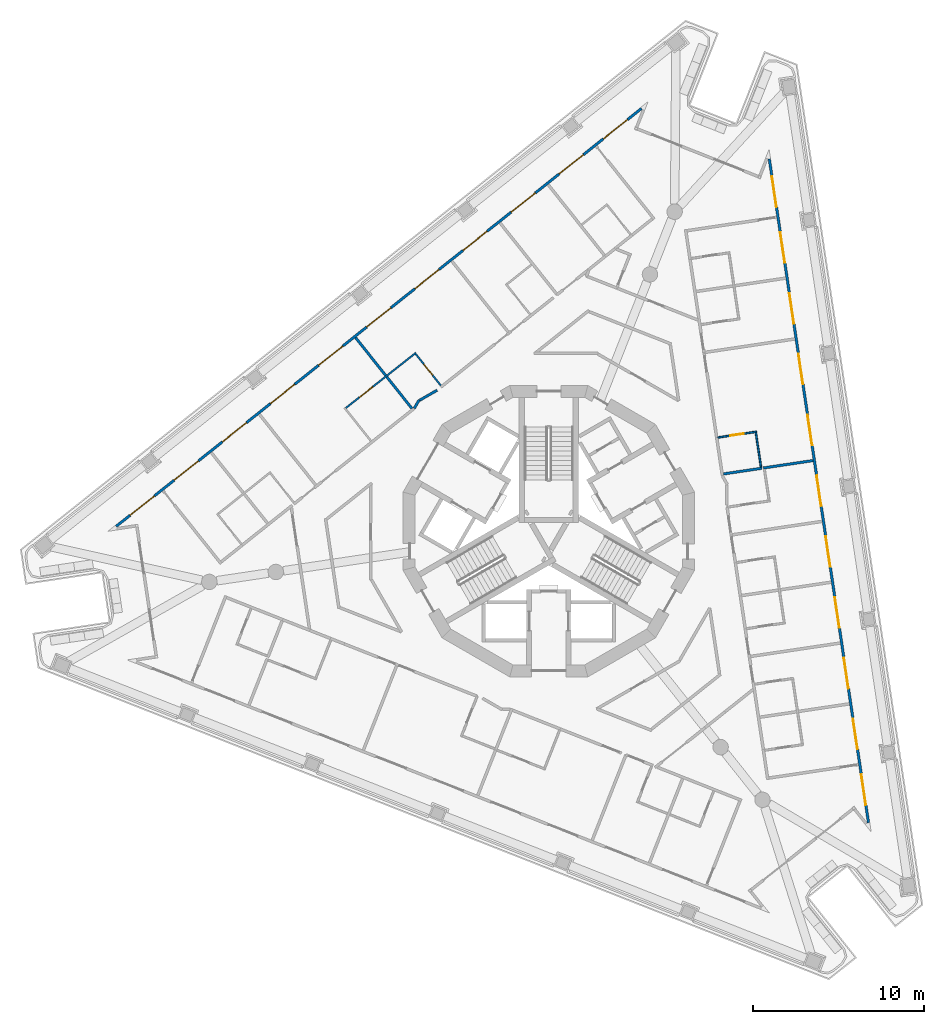
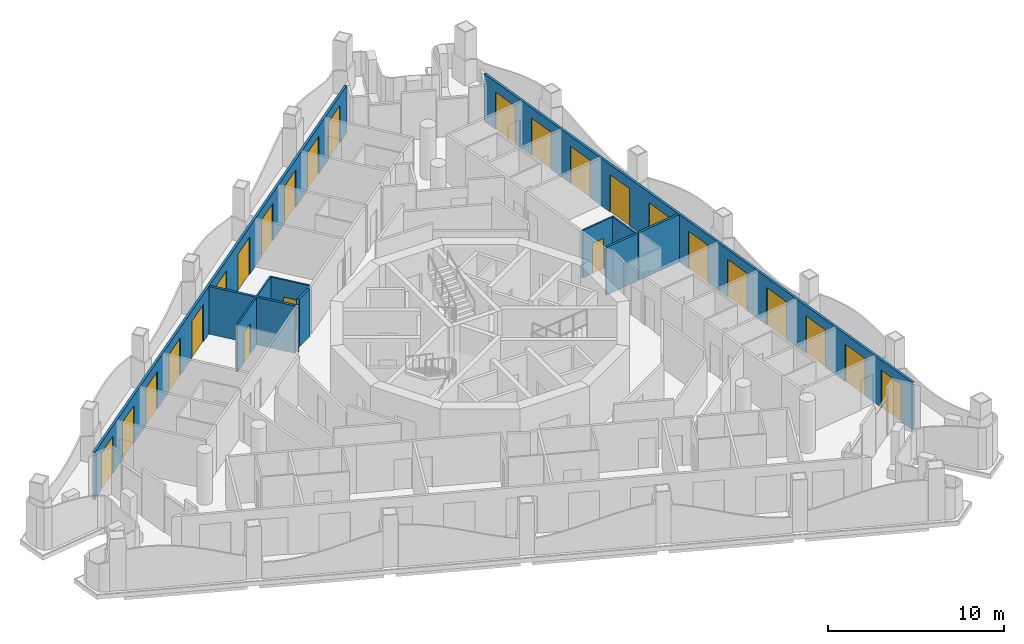
# One storey, part 7 of 16: 25 doors, 11 walls, 25 openings.
"""IFC4 building model written with IfcOpenShell, lengths in metres."""

from ifc_helpers import new_model, si_unit, direction, frame, frame_2d, origin, place, context, subcontext, project, spatial, polyline, rectangle, outline, extrude, material, layer, layer_set, type_object, element, fill, save


model = new_model("IFC4")

# Units and contexts
model_context = context("Model", 3, precision=1e-05, world=origin(), true_north=direction((0.0, 1.0)))
body_context = subcontext(model_context, "Body", "Model", "MODEL_VIEW")
ifc_project = project(units=[si_unit("LENGTHUNIT", "METRE"), si_unit("AREAUNIT", "SQUARE_METRE"), si_unit("VOLUMEUNIT", "CUBIC_METRE"), si_unit("PLANEANGLEUNIT", "RADIAN"), si_unit("MASSUNIT", "GRAM", prefix="KILO")], contexts=[model_context])

# Site, building, storey
site_placement = place(None, origin())
site = spatial("IfcSite", under=ifc_project, at=site_placement, CompositionType="ELEMENT")
building_placement = place(site_placement, origin())
building = spatial("IfcBuilding", under=site, at=building_placement, Name="Trine Commons Tower", CompositionType="ELEMENT")
storey_placement = place(building_placement, frame((0.0, 0.0, 219.60009765625)))
storey = spatial("IfcBuildingStorey", under=building, at=storey_placement, Name="L57", CompositionType="ELEMENT", Elevation=219.60009765625)

# Wall, openings, doors
ifc_material_1 = material(Name="Aluminium-framed insulated wall panel", Category="aluminium")
ifc_layer_1 = layer(ifc_material_1, 0.14990234375)
ifc_layer_set_1 = layer_set([ifc_layer_1], Name="Aluminium-framed insulated wall panel")
wall_type_1 = type_object("IfcWallType", Name="Glazed frame wall 150, EI 60", PredefinedType="SOLIDWALL", material=ifc_layer_set_1)
wall_1_placement = place(storey_placement, frame((54.650634765625, 62.685546875, 0.0), z_axis=(0.0, 0.0, 1.0), x_axis=(0.782609620341, 0.622512796776, 0.0)))
wall_1 = element("IfcWall", 1, at=wall_1_placement, inside=storey, type_object=wall_type_1, Name="Glazed frame wall F1", PredefinedType="SOLIDWALL", context=body_context, shape_type="SweptSolid", body=[
    extrude(outline(polyline([(0.1494140625, 0.074951171875), (0.1494140625, -0.074951171875), (39.296875, -0.074951171875), (39.296875, 0.074951171875), (0.1494140625, 0.074951171875)])), origin(), (0.0, 0.0, 1.0), 3.2998046875),
])
opening_1_placement = place(wall_1_placement, frame((1.193115234375, 0.0, 0.0)))
opening_1 = element("IfcOpeningElement", 2, at=opening_1_placement, cuts=wall_1, Name="Opening BD-6F1-01", PredefinedType="OPENING", context=body_context, shape_type="SweptSolid", body=[
    extrude(rectangle(XDim=1.800048828125, YDim=2.60009765625, at=frame_2d((0.89990234375, 1.300048828125))), frame((0.0, 0.0849609375, 0.0), z_axis=(0.0, -1.0, 0.0), x_axis=(1.0, 0.0, 0.0)), (0.0, 0.0, 1.0), 0.169921875),
])
opening_2_placement = place(wall_1_placement, frame((4.47900390625, 0.0, 0.0)))
opening_2 = element("IfcOpeningElement", 3, at=opening_2_placement, cuts=wall_1, Name="Opening BD-6F1-02", PredefinedType="OPENING", context=body_context, shape_type="SweptSolid", body=[
    extrude(rectangle(XDim=1.800048828125, YDim=2.60009765625, at=frame_2d((0.89990234375, 1.300048828125))), frame((0.0, 0.0849609375, 0.0), z_axis=(0.0, -1.0, 0.0), x_axis=(1.0, 0.0, 0.0)), (0.0, 0.0, 1.0), 0.169921875),
])
opening_3_placement = place(wall_1_placement, frame((8.06494140625, 0.0, 0.0)))
opening_3 = element("IfcOpeningElement", 4, at=opening_3_placement, cuts=wall_1, Name="Opening BD-6F1-03", PredefinedType="OPENING", context=body_context, shape_type="SweptSolid", body=[
    extrude(rectangle(XDim=1.800048828125, YDim=2.60009765625, at=frame_2d((0.89990234375, 1.300048828125))), frame((0.0, 0.0849609375, 0.0), z_axis=(0.0, -1.0, 0.0), x_axis=(1.0, 0.0, 0.0)), (0.0, 0.0, 1.0), 0.169921875),
])
opening_4_placement = place(wall_1_placement, frame((11.65087890625, 0.0, 0.0)))
opening_4 = element("IfcOpeningElement", 5, at=opening_4_placement, cuts=wall_1, Name="Opening BD-6F1-04", PredefinedType="OPENING", context=body_context, shape_type="SweptSolid", body=[
    extrude(rectangle(XDim=1.800048828125, YDim=2.60009765625, at=frame_2d((0.89990234375, 1.300048828125))), frame((0.0, 0.0849609375, 0.0), z_axis=(0.0, -1.0, 0.0), x_axis=(1.0, 0.0, 0.0)), (0.0, 0.0, 1.0), 0.169921875),
])
opening_5_placement = place(wall_1_placement, frame((15.237060546875, 0.0, 0.0)))
opening_5 = element("IfcOpeningElement", 6, at=opening_5_placement, cuts=wall_1, Name="Opening BD-6F1-05", PredefinedType="OPENING", context=body_context, shape_type="SweptSolid", body=[
    extrude(rectangle(XDim=1.800048828125, YDim=2.60009765625, at=frame_2d((0.89990234375, 1.300048828125))), frame((0.0, 0.0849609375, 0.0), z_axis=(0.0, -1.0, 0.0), x_axis=(1.0, 0.0, 0.0)), (0.0, 0.0, 1.0), 0.169921875),
])
opening_6_placement = place(wall_1_placement, frame((18.822998046875, 0.0, 0.0)))
opening_6 = element("IfcOpeningElement", 7, at=opening_6_placement, cuts=wall_1, Name="Opening BD-6F1-06", PredefinedType="OPENING", context=body_context, shape_type="SweptSolid", body=[
    extrude(rectangle(XDim=1.800048828125, YDim=2.60009765625, at=frame_2d((0.89990234375, 1.300048828125))), frame((0.0, 0.0849609375, 0.0), z_axis=(0.0, -1.0, 0.0), x_axis=(1.0, 0.0, 0.0)), (0.0, 0.0, 1.0), 0.169921875),
])
opening_7_placement = place(wall_1_placement, frame((22.408935546875, 0.0, 0.0)))
opening_7 = element("IfcOpeningElement", 8, at=opening_7_placement, cuts=wall_1, Name="Opening BD-6F1-07", PredefinedType="OPENING", context=body_context, shape_type="SweptSolid", body=[
    extrude(rectangle(XDim=1.800048828125, YDim=2.60009765625, at=frame_2d((0.89990234375, 1.300048828125))), frame((0.0, 0.0849609375, 0.0), z_axis=(0.0, -1.0, 0.0), x_axis=(1.0, 0.0, 0.0)), (0.0, 0.0, 1.0), 0.169921875),
])
opening_8_placement = place(wall_1_placement, frame((25.9951171875, 0.0, 0.0)))
opening_8 = element("IfcOpeningElement", 9, at=opening_8_placement, cuts=wall_1, Name="Opening BD-6F1-08", PredefinedType="OPENING", context=body_context, shape_type="SweptSolid", body=[
    extrude(rectangle(XDim=1.800048828125, YDim=2.60009765625, at=frame_2d((0.89990234375, 1.300048828125))), frame((0.0, 0.0849609375, 0.0), z_axis=(0.0, -1.0, 0.0), x_axis=(1.0, 0.0, 0.0)), (0.0, 0.0, 1.0), 0.169921875),
])
opening_9_placement = place(wall_1_placement, frame((29.5810546875, 0.0, 0.0)))
opening_9 = element("IfcOpeningElement", 10, at=opening_9_placement, cuts=wall_1, Name="Opening BD-6F1-09", PredefinedType="OPENING", context=body_context, shape_type="SweptSolid", body=[
    extrude(rectangle(XDim=1.800048828125, YDim=2.60009765625, at=frame_2d((0.89990234375, 1.300048828125))), frame((0.0, 0.0849609375, 0.0), z_axis=(0.0, -1.0, 0.0), x_axis=(1.0, 0.0, 0.0)), (0.0, 0.0, 1.0), 0.169921875),
])
opening_10_placement = place(wall_1_placement, frame((33.1669921875, 0.0, 0.0)))
opening_10 = element("IfcOpeningElement", 11, at=opening_10_placement, cuts=wall_1, Name="Opening BD-6F1-10", PredefinedType="OPENING", context=body_context, shape_type="SweptSolid", body=[
    extrude(rectangle(XDim=1.800048828125, YDim=2.60009765625, at=frame_2d((0.89990234375, 1.300048828125))), frame((0.0, 0.0849609375, 0.0), z_axis=(0.0, -1.0, 0.0), x_axis=(1.0, 0.0, 0.0)), (0.0, 0.0, 1.0), 0.169921875),
])
opening_11_placement = place(wall_1_placement, frame((36.452880859375, 0.0, 0.0)))
opening_11 = element("IfcOpeningElement", 12, at=opening_11_placement, cuts=wall_1, Name="Opening BD-6F1-11", PredefinedType="OPENING", context=body_context, shape_type="SweptSolid", body=[
    extrude(rectangle(XDim=1.800048828125, YDim=2.60009765625, at=frame_2d((0.89990234375, 1.300048828125))), frame((0.0, 0.0849609375, 0.0), z_axis=(0.0, -1.0, 0.0), x_axis=(1.0, 0.0, 0.0)), (0.0, 0.0, 1.0), 0.169921875),
])
ifc_material_2 = material(Name="Anodised aluminium frame with double glazing", Category="aluminium")
door_type_1 = type_object("IfcDoorType", Name="Sliding loggia door 1800x2600", OperationType="SLIDING_TO_LEFT", PredefinedType="DOOR", material=ifc_material_2)
door_1_placement = place(opening_1_placement, origin())
door_1 = element("IfcDoor", 13, at=door_1_placement, inside=storey, type_object=door_type_1, Name="Loggia door F1 1", OperationType="SLIDING_TO_LEFT", OverallHeight=2.60009765625, OverallWidth=1.800048828125, PredefinedType="DOOR", context=body_context, shape_type="SweptSolid", body=[
    extrude(rectangle(XDim=1.800048828125, YDim=2.60009765625, at=frame_2d((0.89990234375, 1.300048828125))), frame((0.0, 0.02490234375, 0.0), z_axis=(0.0, -1.0, 0.0), x_axis=(1.0, 0.0, 0.0)), (0.0, 0.0, 1.0), 0.050048828125),
])
fill(opening_1, door_1)
door_2_placement = place(opening_2_placement, origin())
door_2 = element("IfcDoor", 14, at=door_2_placement, inside=storey, type_object=door_type_1, Name="Loggia door F1 2", OperationType="SLIDING_TO_LEFT", OverallHeight=2.60009765625, OverallWidth=1.800048828125, PredefinedType="DOOR", context=body_context, shape_type="SweptSolid", body=[
    extrude(rectangle(XDim=1.800048828125, YDim=2.60009765625, at=frame_2d((0.89990234375, 1.300048828125))), frame((0.0, 0.02490234375, 0.0), z_axis=(0.0, -1.0, 0.0), x_axis=(1.0, 0.0, 0.0)), (0.0, 0.0, 1.0), 0.050048828125),
])
fill(opening_2, door_2)
door_3_placement = place(opening_3_placement, origin())
door_3 = element("IfcDoor", 15, at=door_3_placement, inside=storey, type_object=door_type_1, Name="Loggia door F1 3", OperationType="SLIDING_TO_LEFT", OverallHeight=2.60009765625, OverallWidth=1.800048828125, PredefinedType="DOOR", context=body_context, shape_type="SweptSolid", body=[
    extrude(rectangle(XDim=1.800048828125, YDim=2.60009765625, at=frame_2d((0.89990234375, 1.300048828125))), frame((0.0, 0.02490234375, 0.0), z_axis=(0.0, -1.0, 0.0), x_axis=(1.0, 0.0, 0.0)), (0.0, 0.0, 1.0), 0.050048828125),
])
fill(opening_3, door_3)
door_4_placement = place(opening_4_placement, origin())
door_4 = element("IfcDoor", 16, at=door_4_placement, inside=storey, type_object=door_type_1, Name="Loggia door F1 4", OperationType="SLIDING_TO_LEFT", OverallHeight=2.60009765625, OverallWidth=1.800048828125, PredefinedType="DOOR", context=body_context, shape_type="SweptSolid", body=[
    extrude(rectangle(XDim=1.800048828125, YDim=2.60009765625, at=frame_2d((0.89990234375, 1.300048828125))), frame((0.0, 0.02490234375, 0.0), z_axis=(0.0, -1.0, 0.0), x_axis=(1.0, 0.0, 0.0)), (0.0, 0.0, 1.0), 0.050048828125),
])
fill(opening_4, door_4)
door_5_placement = place(opening_5_placement, origin())
door_5 = element("IfcDoor", 17, at=door_5_placement, inside=storey, type_object=door_type_1, Name="Loggia door F1 5", OperationType="SLIDING_TO_LEFT", OverallHeight=2.60009765625, OverallWidth=1.800048828125, PredefinedType="DOOR", context=body_context, shape_type="SweptSolid", body=[
    extrude(rectangle(XDim=1.800048828125, YDim=2.60009765625, at=frame_2d((0.89990234375, 1.300048828125))), frame((0.0, 0.02490234375, 0.0), z_axis=(0.0, -1.0, 0.0), x_axis=(1.0, 0.0, 0.0)), (0.0, 0.0, 1.0), 0.050048828125),
])
fill(opening_5, door_5)
door_6_placement = place(opening_6_placement, origin())
door_6 = element("IfcDoor", 18, at=door_6_placement, inside=storey, type_object=door_type_1, Name="Loggia door F1 6", OperationType="SLIDING_TO_LEFT", OverallHeight=2.60009765625, OverallWidth=1.800048828125, PredefinedType="DOOR", context=body_context, shape_type="SweptSolid", body=[
    extrude(rectangle(XDim=1.800048828125, YDim=2.60009765625, at=frame_2d((0.89990234375, 1.300048828125))), frame((0.0, 0.02490234375, 0.0), z_axis=(0.0, -1.0, 0.0), x_axis=(1.0, 0.0, 0.0)), (0.0, 0.0, 1.0), 0.050048828125),
])
fill(opening_6, door_6)
door_7_placement = place(opening_7_placement, origin())
door_7 = element("IfcDoor", 19, at=door_7_placement, inside=storey, type_object=door_type_1, Name="Loggia door F1 7", OperationType="SLIDING_TO_LEFT", OverallHeight=2.60009765625, OverallWidth=1.800048828125, PredefinedType="DOOR", context=body_context, shape_type="SweptSolid", body=[
    extrude(rectangle(XDim=1.800048828125, YDim=2.60009765625, at=frame_2d((0.89990234375, 1.300048828125))), frame((0.0, 0.02490234375, 0.0), z_axis=(0.0, -1.0, 0.0), x_axis=(1.0, 0.0, 0.0)), (0.0, 0.0, 1.0), 0.050048828125),
])
fill(opening_7, door_7)
door_8_placement = place(opening_8_placement, origin())
door_8 = element("IfcDoor", 20, at=door_8_placement, inside=storey, type_object=door_type_1, Name="Loggia door F1 8", OperationType="SLIDING_TO_LEFT", OverallHeight=2.60009765625, OverallWidth=1.800048828125, PredefinedType="DOOR", context=body_context, shape_type="SweptSolid", body=[
    extrude(rectangle(XDim=1.800048828125, YDim=2.60009765625, at=frame_2d((0.89990234375, 1.300048828125))), frame((0.0, 0.02490234375, 0.0), z_axis=(0.0, -1.0, 0.0), x_axis=(1.0, 0.0, 0.0)), (0.0, 0.0, 1.0), 0.050048828125),
])
fill(opening_8, door_8)
door_9_placement = place(opening_9_placement, origin())
door_9 = element("IfcDoor", 21, at=door_9_placement, inside=storey, type_object=door_type_1, Name="Loggia door F1 9", OperationType="SLIDING_TO_LEFT", OverallHeight=2.60009765625, OverallWidth=1.800048828125, PredefinedType="DOOR", context=body_context, shape_type="SweptSolid", body=[
    extrude(rectangle(XDim=1.800048828125, YDim=2.60009765625, at=frame_2d((0.89990234375, 1.300048828125))), frame((0.0, 0.02490234375, 0.0), z_axis=(0.0, -1.0, 0.0), x_axis=(1.0, 0.0, 0.0)), (0.0, 0.0, 1.0), 0.050048828125),
])
fill(opening_9, door_9)
door_10_placement = place(opening_10_placement, origin())
door_10 = element("IfcDoor", 22, at=door_10_placement, inside=storey, type_object=door_type_1, Name="Loggia door F1 10", OperationType="SLIDING_TO_LEFT", OverallHeight=2.60009765625, OverallWidth=1.800048828125, PredefinedType="DOOR", context=body_context, shape_type="SweptSolid", body=[
    extrude(rectangle(XDim=1.800048828125, YDim=2.60009765625, at=frame_2d((0.89990234375, 1.300048828125))), frame((0.0, 0.02490234375, 0.0), z_axis=(0.0, -1.0, 0.0), x_axis=(1.0, 0.0, 0.0)), (0.0, 0.0, 1.0), 0.050048828125),
])
fill(opening_10, door_10)
door_11_placement = place(opening_11_placement, origin())
door_11 = element("IfcDoor", 23, at=door_11_placement, inside=storey, type_object=door_type_1, Name="Loggia door F1 11", OperationType="SLIDING_TO_LEFT", OverallHeight=2.60009765625, OverallWidth=1.800048828125, PredefinedType="DOOR", context=body_context, shape_type="SweptSolid", body=[
    extrude(rectangle(XDim=1.800048828125, YDim=2.60009765625, at=frame_2d((0.89990234375, 1.300048828125))), frame((0.0, 0.02490234375, 0.0), z_axis=(0.0, -1.0, 0.0), x_axis=(1.0, 0.0, 0.0)), (0.0, 0.0, 1.0), 0.050048828125),
])
fill(opening_11, door_11)

wall_2_placement = place(storey_placement, frame((92.835205078125, 84.3603515625, 0.0), z_axis=(0.0, 0.0, 1.0), x_axis=(0.147810490781, -0.989015702006, 0.0)))
wall_2 = element("IfcWall", 24, at=wall_2_placement, inside=storey, type_object=wall_type_1, Name="Glazed frame wall F2", PredefinedType="SOLIDWALL", context=body_context, shape_type="SweptSolid", body=[
    extrude(outline(polyline([(0.1494140625, 0.074951171875), (0.1494140625, -0.074951171875), (39.296875, -0.074951171875), (39.296875, 0.074951171875), (0.1494140625, 0.074951171875)])), origin(), (0.0, 0.0, 1.0), 3.2998046875),
])
opening_12_placement = place(wall_2_placement, frame((1.193115234375, 0.0, 0.0)))
opening_12 = element("IfcOpeningElement", 25, at=opening_12_placement, cuts=wall_2, Name="Opening BD-6F2-01", PredefinedType="OPENING", context=body_context, shape_type="SweptSolid", body=[
    extrude(rectangle(XDim=1.800048828125, YDim=2.60009765625, at=frame_2d((0.89990234375, 1.300048828125))), frame((0.0, 0.0849609375, 0.0), z_axis=(0.0, -1.0, 0.0), x_axis=(1.0, 0.0, 0.0)), (0.0, 0.0, 1.0), 0.169921875),
])
opening_13_placement = place(wall_2_placement, frame((4.47900390625, 0.0, 0.0)))
opening_13 = element("IfcOpeningElement", 26, at=opening_13_placement, cuts=wall_2, Name="Opening BD-6F2-02", PredefinedType="OPENING", context=body_context, shape_type="SweptSolid", body=[
    extrude(rectangle(XDim=1.800048828125, YDim=2.60009765625, at=frame_2d((0.89990234375, 1.300048828125))), frame((0.0, 0.0849609375, 0.0), z_axis=(0.0, -1.0, 0.0), x_axis=(1.0, 0.0, 0.0)), (0.0, 0.0, 1.0), 0.169921875),
])
opening_14_placement = place(wall_2_placement, frame((8.06494140625, 0.0, 0.0)))
opening_14 = element("IfcOpeningElement", 27, at=opening_14_placement, cuts=wall_2, Name="Opening BD-6F2-03", PredefinedType="OPENING", context=body_context, shape_type="SweptSolid", body=[
    extrude(rectangle(XDim=1.800048828125, YDim=2.60009765625, at=frame_2d((0.89990234375, 1.300048828125))), frame((0.0, 0.0849609375, 0.0), z_axis=(0.0, -1.0, 0.0), x_axis=(1.0, 0.0, 0.0)), (0.0, 0.0, 1.0), 0.169921875),
])
opening_15_placement = place(wall_2_placement, frame((11.65087890625, 0.0, 0.0)))
opening_15 = element("IfcOpeningElement", 28, at=opening_15_placement, cuts=wall_2, Name="Opening BD-6F2-04", PredefinedType="OPENING", context=body_context, shape_type="SweptSolid", body=[
    extrude(rectangle(XDim=1.800048828125, YDim=2.60009765625, at=frame_2d((0.89990234375, 1.300048828125))), frame((0.0, 0.0849609375, 0.0), z_axis=(0.0, -1.0, 0.0), x_axis=(1.0, 0.0, 0.0)), (0.0, 0.0, 1.0), 0.169921875),
])
opening_16_placement = place(wall_2_placement, frame((15.237060546875, 0.0, 0.0)))
opening_16 = element("IfcOpeningElement", 29, at=opening_16_placement, cuts=wall_2, Name="Opening BD-6F2-05", PredefinedType="OPENING", context=body_context, shape_type="SweptSolid", body=[
    extrude(rectangle(XDim=1.800048828125, YDim=2.60009765625, at=frame_2d((0.89990234375, 1.300048828125))), frame((0.0, 0.0849609375, 0.0), z_axis=(0.0, -1.0, 0.0), x_axis=(1.0, 0.0, 0.0)), (0.0, 0.0, 1.0), 0.169921875),
])
opening_17_placement = place(wall_2_placement, frame((18.822998046875, 0.0, 0.0)))
opening_17 = element("IfcOpeningElement", 30, at=opening_17_placement, cuts=wall_2, Name="Opening BD-6F2-06", PredefinedType="OPENING", context=body_context, shape_type="SweptSolid", body=[
    extrude(rectangle(XDim=1.800048828125, YDim=2.60009765625, at=frame_2d((0.89990234375, 1.300048828125))), frame((0.0, 0.0849609375, 0.0), z_axis=(0.0, -1.0, 0.0), x_axis=(1.0, 0.0, 0.0)), (0.0, 0.0, 1.0), 0.169921875),
])
opening_18_placement = place(wall_2_placement, frame((22.408935546875, 0.0, 0.0)))
opening_18 = element("IfcOpeningElement", 31, at=opening_18_placement, cuts=wall_2, Name="Opening BD-6F2-07", PredefinedType="OPENING", context=body_context, shape_type="SweptSolid", body=[
    extrude(rectangle(XDim=1.800048828125, YDim=2.60009765625, at=frame_2d((0.89990234375, 1.300048828125))), frame((0.0, 0.0849609375, 0.0), z_axis=(0.0, -1.0, 0.0), x_axis=(1.0, 0.0, 0.0)), (0.0, 0.0, 1.0), 0.169921875),
])
opening_19_placement = place(wall_2_placement, frame((25.9951171875, 0.0, 0.0)))
opening_19 = element("IfcOpeningElement", 32, at=opening_19_placement, cuts=wall_2, Name="Opening BD-6F2-08", PredefinedType="OPENING", context=body_context, shape_type="SweptSolid", body=[
    extrude(rectangle(XDim=1.800048828125, YDim=2.60009765625, at=frame_2d((0.89990234375, 1.300048828125))), frame((0.0, 0.0849609375, 0.0), z_axis=(0.0, -1.0, 0.0), x_axis=(1.0, 0.0, 0.0)), (0.0, 0.0, 1.0), 0.169921875),
])
opening_20_placement = place(wall_2_placement, frame((29.5810546875, 0.0, 0.0)))
opening_20 = element("IfcOpeningElement", 33, at=opening_20_placement, cuts=wall_2, Name="Opening BD-6F2-09", PredefinedType="OPENING", context=body_context, shape_type="SweptSolid", body=[
    extrude(rectangle(XDim=1.800048828125, YDim=2.60009765625, at=frame_2d((0.89990234375, 1.300048828125))), frame((0.0, 0.0849609375, 0.0), z_axis=(0.0, -1.0, 0.0), x_axis=(1.0, 0.0, 0.0)), (0.0, 0.0, 1.0), 0.169921875),
])
opening_21_placement = place(wall_2_placement, frame((33.1669921875, 0.0, 0.0)))
opening_21 = element("IfcOpeningElement", 34, at=opening_21_placement, cuts=wall_2, Name="Opening BD-6F2-10", PredefinedType="OPENING", context=body_context, shape_type="SweptSolid", body=[
    extrude(rectangle(XDim=1.800048828125, YDim=2.60009765625, at=frame_2d((0.89990234375, 1.300048828125))), frame((0.0, 0.0849609375, 0.0), z_axis=(0.0, -1.0, 0.0), x_axis=(1.0, 0.0, 0.0)), (0.0, 0.0, 1.0), 0.169921875),
])
opening_22_placement = place(wall_2_placement, frame((36.452880859375, 0.0, 0.0)))
opening_22 = element("IfcOpeningElement", 35, at=opening_22_placement, cuts=wall_2, Name="Opening BD-6F2-11", PredefinedType="OPENING", context=body_context, shape_type="SweptSolid", body=[
    extrude(rectangle(XDim=1.800048828125, YDim=2.60009765625, at=frame_2d((0.89990234375, 1.300048828125))), frame((0.0, 0.0849609375, 0.0), z_axis=(0.0, -1.0, 0.0), x_axis=(1.0, 0.0, 0.0)), (0.0, 0.0, 1.0), 0.169921875),
])
door_12_placement = place(opening_12_placement, origin())
door_12 = element("IfcDoor", 36, at=door_12_placement, inside=storey, type_object=door_type_1, Name="Loggia door F2 1", OperationType="SLIDING_TO_LEFT", OverallHeight=2.60009765625, OverallWidth=1.800048828125, PredefinedType="DOOR", context=body_context, shape_type="SweptSolid", body=[
    extrude(rectangle(XDim=1.800048828125, YDim=2.60009765625, at=frame_2d((0.89990234375, 1.300048828125))), frame((0.0, 0.02490234375, 0.0), z_axis=(0.0, -1.0, 0.0), x_axis=(1.0, 0.0, 0.0)), (0.0, 0.0, 1.0), 0.050048828125),
])
fill(opening_12, door_12)
door_13_placement = place(opening_13_placement, origin())
door_13 = element("IfcDoor", 37, at=door_13_placement, inside=storey, type_object=door_type_1, Name="Loggia door F2 2", OperationType="SLIDING_TO_LEFT", OverallHeight=2.60009765625, OverallWidth=1.800048828125, PredefinedType="DOOR", context=body_context, shape_type="SweptSolid", body=[
    extrude(rectangle(XDim=1.800048828125, YDim=2.60009765625, at=frame_2d((0.89990234375, 1.300048828125))), frame((0.0, 0.02490234375, 0.0), z_axis=(0.0, -1.0, 0.0), x_axis=(1.0, 0.0, 0.0)), (0.0, 0.0, 1.0), 0.050048828125),
])
fill(opening_13, door_13)
door_14_placement = place(opening_14_placement, origin())
door_14 = element("IfcDoor", 38, at=door_14_placement, inside=storey, type_object=door_type_1, Name="Loggia door F2 3", OperationType="SLIDING_TO_LEFT", OverallHeight=2.60009765625, OverallWidth=1.800048828125, PredefinedType="DOOR", context=body_context, shape_type="SweptSolid", body=[
    extrude(rectangle(XDim=1.800048828125, YDim=2.60009765625, at=frame_2d((0.89990234375, 1.300048828125))), frame((0.0, 0.02490234375, 0.0), z_axis=(0.0, -1.0, 0.0), x_axis=(1.0, 0.0, 0.0)), (0.0, 0.0, 1.0), 0.050048828125),
])
fill(opening_14, door_14)
door_15_placement = place(opening_15_placement, origin())
door_15 = element("IfcDoor", 39, at=door_15_placement, inside=storey, type_object=door_type_1, Name="Loggia door F2 4", OperationType="SLIDING_TO_LEFT", OverallHeight=2.60009765625, OverallWidth=1.800048828125, PredefinedType="DOOR", context=body_context, shape_type="SweptSolid", body=[
    extrude(rectangle(XDim=1.800048828125, YDim=2.60009765625, at=frame_2d((0.89990234375, 1.300048828125))), frame((0.0, 0.02490234375, 0.0), z_axis=(0.0, -1.0, 0.0), x_axis=(1.0, 0.0, 0.0)), (0.0, 0.0, 1.0), 0.050048828125),
])
fill(opening_15, door_15)
door_16_placement = place(opening_16_placement, origin())
door_16 = element("IfcDoor", 40, at=door_16_placement, inside=storey, type_object=door_type_1, Name="Loggia door F2 5", OperationType="SLIDING_TO_LEFT", OverallHeight=2.60009765625, OverallWidth=1.800048828125, PredefinedType="DOOR", context=body_context, shape_type="SweptSolid", body=[
    extrude(rectangle(XDim=1.800048828125, YDim=2.60009765625, at=frame_2d((0.89990234375, 1.300048828125))), frame((0.0, 0.02490234375, 0.0), z_axis=(0.0, -1.0, 0.0), x_axis=(1.0, 0.0, 0.0)), (0.0, 0.0, 1.0), 0.050048828125),
])
fill(opening_16, door_16)
door_17_placement = place(opening_17_placement, origin())
door_17 = element("IfcDoor", 41, at=door_17_placement, inside=storey, type_object=door_type_1, Name="Loggia door F2 6", OperationType="SLIDING_TO_LEFT", OverallHeight=2.60009765625, OverallWidth=1.800048828125, PredefinedType="DOOR", context=body_context, shape_type="SweptSolid", body=[
    extrude(rectangle(XDim=1.800048828125, YDim=2.60009765625, at=frame_2d((0.89990234375, 1.300048828125))), frame((0.0, 0.02490234375, 0.0), z_axis=(0.0, -1.0, 0.0), x_axis=(1.0, 0.0, 0.0)), (0.0, 0.0, 1.0), 0.050048828125),
])
fill(opening_17, door_17)
door_18_placement = place(opening_18_placement, origin())
door_18 = element("IfcDoor", 42, at=door_18_placement, inside=storey, type_object=door_type_1, Name="Loggia door F2 7", OperationType="SLIDING_TO_LEFT", OverallHeight=2.60009765625, OverallWidth=1.800048828125, PredefinedType="DOOR", context=body_context, shape_type="SweptSolid", body=[
    extrude(rectangle(XDim=1.800048828125, YDim=2.60009765625, at=frame_2d((0.89990234375, 1.300048828125))), frame((0.0, 0.02490234375, 0.0), z_axis=(0.0, -1.0, 0.0), x_axis=(1.0, 0.0, 0.0)), (0.0, 0.0, 1.0), 0.050048828125),
])
fill(opening_18, door_18)
door_19_placement = place(opening_19_placement, origin())
door_19 = element("IfcDoor", 43, at=door_19_placement, inside=storey, type_object=door_type_1, Name="Loggia door F2 8", OperationType="SLIDING_TO_LEFT", OverallHeight=2.60009765625, OverallWidth=1.800048828125, PredefinedType="DOOR", context=body_context, shape_type="SweptSolid", body=[
    extrude(rectangle(XDim=1.800048828125, YDim=2.60009765625, at=frame_2d((0.89990234375, 1.300048828125))), frame((0.0, 0.02490234375, 0.0), z_axis=(0.0, -1.0, 0.0), x_axis=(1.0, 0.0, 0.0)), (0.0, 0.0, 1.0), 0.050048828125),
])
fill(opening_19, door_19)
door_20_placement = place(opening_20_placement, origin())
door_20 = element("IfcDoor", 44, at=door_20_placement, inside=storey, type_object=door_type_1, Name="Loggia door F2 9", OperationType="SLIDING_TO_LEFT", OverallHeight=2.60009765625, OverallWidth=1.800048828125, PredefinedType="DOOR", context=body_context, shape_type="SweptSolid", body=[
    extrude(rectangle(XDim=1.800048828125, YDim=2.60009765625, at=frame_2d((0.89990234375, 1.300048828125))), frame((0.0, 0.02490234375, 0.0), z_axis=(0.0, -1.0, 0.0), x_axis=(1.0, 0.0, 0.0)), (0.0, 0.0, 1.0), 0.050048828125),
])
fill(opening_20, door_20)
door_21_placement = place(opening_21_placement, origin())
door_21 = element("IfcDoor", 45, at=door_21_placement, inside=storey, type_object=door_type_1, Name="Loggia door F2 10", OperationType="SLIDING_TO_LEFT", OverallHeight=2.60009765625, OverallWidth=1.800048828125, PredefinedType="DOOR", context=body_context, shape_type="SweptSolid", body=[
    extrude(rectangle(XDim=1.800048828125, YDim=2.60009765625, at=frame_2d((0.89990234375, 1.300048828125))), frame((0.0, 0.02490234375, 0.0), z_axis=(0.0, -1.0, 0.0), x_axis=(1.0, 0.0, 0.0)), (0.0, 0.0, 1.0), 0.050048828125),
])
fill(opening_21, door_21)
door_22_placement = place(opening_22_placement, origin())
door_22 = element("IfcDoor", 46, at=door_22_placement, inside=storey, type_object=door_type_1, Name="Loggia door F2 11", OperationType="SLIDING_TO_LEFT", OverallHeight=2.60009765625, OverallWidth=1.800048828125, PredefinedType="DOOR", context=body_context, shape_type="SweptSolid", body=[
    extrude(rectangle(XDim=1.800048828125, YDim=2.60009765625, at=frame_2d((0.89990234375, 1.300048828125))), frame((0.0, 0.02490234375, 0.0), z_axis=(0.0, -1.0, 0.0), x_axis=(1.0, 0.0, 0.0)), (0.0, 0.0, 1.0), 0.050048828125),
])
fill(opening_22, door_22)

# Walls
ifc_material_3 = material(Name="Gypsum plasterboard on steel stud", Category="steel")
ifc_layer_2 = layer(ifc_material_3, 0.14990234375)
ifc_layer_set_2 = layer_set([ifc_layer_2], Name="Gypsum plasterboard on steel stud")
wall_type_2 = type_object("IfcWallType", Name="Unit and corridor wall 150 mm, EI 60", PredefinedType="PARTITIONING", material=ifc_layer_set_2)
wall_3_placement = place(storey_placement, frame((68.72998046875, 73.788818359375, 0.0), z_axis=(0.0, 0.0, 1.0), x_axis=(0.622421957732, -0.782681868024, 0.0)))
element("IfcWall", 47, at=wall_3_placement, inside=storey, type_object=wall_type_2, Name="Partition 029", PredefinedType="PARTITIONING", context=body_context, shape_type="SweptSolid", body=[
    extrude(rectangle(XDim=5.28466796875, YDim=0.14990234375, at=frame_2d((2.642333984375, 0.0))), origin(), (0.0, 0.0, 1.0), 3.2998046875),
])
wall_4_placement = place(storey_placement, frame((72.152099609375, 69.656005859375, 0.0), z_axis=(0.0, 0.0, 1.0), x_axis=(0.499165076137, 0.866506910973, 0.0)))
element("IfcWall", 48, at=wall_4_placement, inside=storey, type_object=wall_type_2, Name="Partition 033", PredefinedType="PARTITIONING", context=body_context, shape_type="SweptSolid", body=[
    extrude(rectangle(XDim=0.58154296875, YDim=0.14990234375, at=frame_2d((0.290771484375, 0.0))), origin(), (0.0, 0.0, 1.0), 3.2998046875),
])
wall_5_placement = place(storey_placement, frame((72.469970703125, 70.132568359375, 0.0), z_axis=(0.0, 0.0, 1.0), x_axis=(0.865861083349, 0.5002845034, 0.0)))
element("IfcWall", 49, at=wall_5_placement, inside=storey, type_object=wall_type_2, Name="Partition 035", PredefinedType="PARTITIONING", context=body_context, shape_type="SweptSolid", body=[
    extrude(rectangle(XDim=1.177978515625, YDim=0.14990234375, at=frame_2d((0.5888671875, 0.0))), origin(), (0.0, 0.0, 1.0), 3.2998046875),
])
wall_6_placement = place(storey_placement, frame((90.18408203125, 65.835205078125, 0.0), z_axis=(0.0, 0.0, 1.0), x_axis=(0.989025888794, 0.147742313828, 0.0)))
element("IfcWall", 50, at=wall_6_placement, inside=storey, type_object=wall_type_2, Name="Partition 097", PredefinedType="PARTITIONING", context=body_context, shape_type="SweptSolid", body=[
    extrude(rectangle(XDim=2.275390625, YDim=0.14990234375, at=frame_2d((1.1376953125, 0.0))), origin(), (0.0, 0.0, 1.0), 3.2998046875),
])
wall_7_placement = place(storey_placement, frame((92.508544921875, 66.1826171875, 0.0), z_axis=(0.0, 0.0, 1.0), x_axis=(0.98902768461, 0.147730291663, 0.0)))
element("IfcWall", 51, at=wall_7_placement, inside=storey, type_object=wall_type_2, Name="Partition 119", PredefinedType="PARTITIONING", context=body_context, shape_type="SweptSolid", body=[
    extrude(rectangle(XDim=2.93505859375, YDim=0.14990234375, at=frame_2d((1.467529296875, 0.0))), origin(), (0.0, 0.0, 1.0), 3.2998046875),
])

# Wall, opening, door
ifc_layer_3 = layer(ifc_material_3, 0.10009765625)
ifc_layer_set_3 = layer_set([ifc_layer_3], Name="Gypsum plasterboard on steel stud")
wall_type_3 = type_object("IfcWallType", Name="Unit partition 100 mm, no rating", PredefinedType="PARTITIONING", material=ifc_layer_set_3)
wall_8_placement = place(storey_placement, frame((68.162353515625, 69.681884765625, 0.0), z_axis=(0.0, 0.0, 1.0), x_axis=(0.785695640429, 0.618613256091, 0.0)))
wall_8 = element("IfcWall", 52, at=wall_8_placement, inside=storey, type_object=wall_type_3, Name="Partition 028", PredefinedType="PARTITIONING", context=body_context, shape_type="SweptSolid", body=[
    extrude(rectangle(XDim=5.200439453125, YDim=0.10009765625, at=frame_2d((2.60009765625, 0.0))), origin(), (0.0, 0.0, 1.0), 3.2998046875),
])
opening_23_placement = place(wall_8_placement, frame((1.0, 0.0, 0.0)))
opening_23 = element("IfcOpeningElement", 53, at=opening_23_placement, cuts=wall_8, Name="Opening D-6C31", PredefinedType="OPENING", context=body_context, shape_type="SweptSolid", body=[
    extrude(rectangle(XDim=1.0, YDim=2.10009765625, at=frame_2d((0.5, 1.050048828125))), frame((0.0, 0.06005859375, 0.0), z_axis=(0.0, -1.0, 0.0), x_axis=(1.0, 0.0, 0.0)), (0.0, 0.0, 1.0), 0.1201171875),
])
ifc_material_4 = material(Name="Painted timber", Category="wood")
door_type_2 = type_object("IfcDoorType", Name="Internal door 1000 x 2100, NOT RATED", OperationType="NOTDEFINED", PredefinedType="DOOR", material=ifc_material_4)
door_23_placement = place(opening_23_placement, origin())
door_23 = element("IfcDoor", 54, at=door_23_placement, inside=storey, type_object=door_type_2, Name="Door D-6C31", OperationType="SINGLE_SWING_LEFT", OverallHeight=2.10009765625, OverallWidth=1.0, PredefinedType="DOOR", context=body_context, shape_type="SweptSolid", body=[
    extrude(rectangle(XDim=1.0, YDim=2.10009765625, at=frame_2d((0.5, 1.050048828125))), frame((0.0, 0.02490234375, 0.0), z_axis=(0.0, -1.0, 0.0), x_axis=(1.0, 0.0, 0.0)), (0.0, 0.0, 1.0), 0.050048828125),
])
fill(opening_23, door_23)

wall_9_placement = place(storey_placement, frame((72.239990234375, 72.828857421875, 0.0), z_axis=(0.0, 0.0, 1.0), x_axis=(0.622588668778, -0.782549263311, 0.0)))
wall_9 = element("IfcWall", 55, at=wall_9_placement, inside=storey, type_object=wall_type_3, Name="Partition 034", PredefinedType="PARTITIONING", context=body_context, shape_type="SweptSolid", body=[
    extrude(rectangle(XDim=2.348876953125, YDim=0.10009765625, at=frame_2d((1.17431640625, 0.0))), origin(), (0.0, 0.0, 1.0), 3.2998046875),
])
opening_24_placement = place(wall_9_placement, frame((0.7744140625, 0.0, 0.0)))
opening_24 = element("IfcOpeningElement", 56, at=opening_24_placement, cuts=wall_9, Name="Opening D-6C32", PredefinedType="OPENING", context=body_context, shape_type="SweptSolid", body=[
    extrude(rectangle(XDim=0.800048828125, YDim=2.10009765625, at=frame_2d((0.39990234375, 1.050048828125))), frame((0.0, 0.06005859375, 0.0), z_axis=(0.0, -1.0, 0.0), x_axis=(1.0, 0.0, 0.0)), (0.0, 0.0, 1.0), 0.1201171875),
])
door_type_3 = type_object("IfcDoorType", Name="Internal door 800 x 2100, NOT RATED", OperationType="NOTDEFINED", PredefinedType="DOOR", material=ifc_material_4)
door_24_placement = place(opening_24_placement, origin())
door_24 = element("IfcDoor", 57, at=door_24_placement, inside=storey, type_object=door_type_3, Name="Door D-6C32", OperationType="SINGLE_SWING_LEFT", OverallHeight=2.10009765625, OverallWidth=0.800048828125, PredefinedType="DOOR", context=body_context, shape_type="SweptSolid", body=[
    extrude(rectangle(XDim=0.800048828125, YDim=2.10009765625, at=frame_2d((0.39990234375, 1.050048828125))), frame((0.0, 0.02490234375, 0.0), z_axis=(0.0, -1.0, 0.0), x_axis=(1.0, 0.0, 0.0)), (0.0, 0.0, 1.0), 0.050048828125),
])
fill(opening_24, door_24)

wall_10_placement = place(storey_placement, frame((89.8662109375, 67.961181640625, 0.0), z_axis=(0.0, 0.0, 1.0), x_axis=(0.989023546454, 0.147757993216, 0.0)))
wall_10 = element("IfcWall", 58, at=wall_10_placement, inside=storey, type_object=wall_type_3, Name="Partition 095", PredefinedType="PARTITIONING", context=body_context, shape_type="SweptSolid", body=[
    extrude(rectangle(XDim=2.275146484375, YDim=0.10009765625, at=frame_2d((1.1376953125, 0.0))), origin(), (0.0, 0.0, 1.0), 3.2998046875),
])
opening_25_placement = place(wall_10_placement, frame((0.712646484375, 0.0, 0.0)))
opening_25 = element("IfcOpeningElement", 59, at=opening_25_placement, cuts=wall_10, Name="Opening D-6C37", PredefinedType="OPENING", context=body_context, shape_type="SweptSolid", body=[
    extrude(rectangle(XDim=0.800048828125, YDim=2.10009765625, at=frame_2d((0.39990234375, 1.050048828125))), frame((0.0, 0.06005859375, 0.0), z_axis=(0.0, -1.0, 0.0), x_axis=(1.0, 0.0, 0.0)), (0.0, 0.0, 1.0), 0.1201171875),
])
door_25_placement = place(opening_25_placement, origin())
door_25 = element("IfcDoor", 60, at=door_25_placement, inside=storey, type_object=door_type_3, Name="Door D-6C37", OperationType="SINGLE_SWING_LEFT", OverallHeight=2.10009765625, OverallWidth=0.800048828125, PredefinedType="DOOR", context=body_context, shape_type="SweptSolid", body=[
    extrude(rectangle(XDim=0.800048828125, YDim=2.10009765625, at=frame_2d((0.39990234375, 1.050048828125))), frame((0.0, 0.02490234375, 0.0), z_axis=(0.0, -1.0, 0.0), x_axis=(1.0, 0.0, 0.0)), (0.0, 0.0, 1.0), 0.050048828125),
])
fill(opening_25, door_25)

# Wall
wall_11_placement = place(storey_placement, frame((92.074462890625, 68.240478515625, 0.0), z_axis=(0.0, 0.0, 1.0), x_axis=(0.147850973305, -0.98900965096, 0.0)))
element("IfcWall", 61, at=wall_11_placement, inside=storey, type_object=wall_type_3, Name="Partition 115", PredefinedType="PARTITIONING", context=body_context, shape_type="SweptSolid", body=[
    extrude(rectangle(XDim=2.0244140625, YDim=0.10009765625, at=frame_2d((1.01220703125, 0.0))), origin(), (0.0, 0.0, 1.0), 3.2998046875),
])

save(model, "model.ifc")
